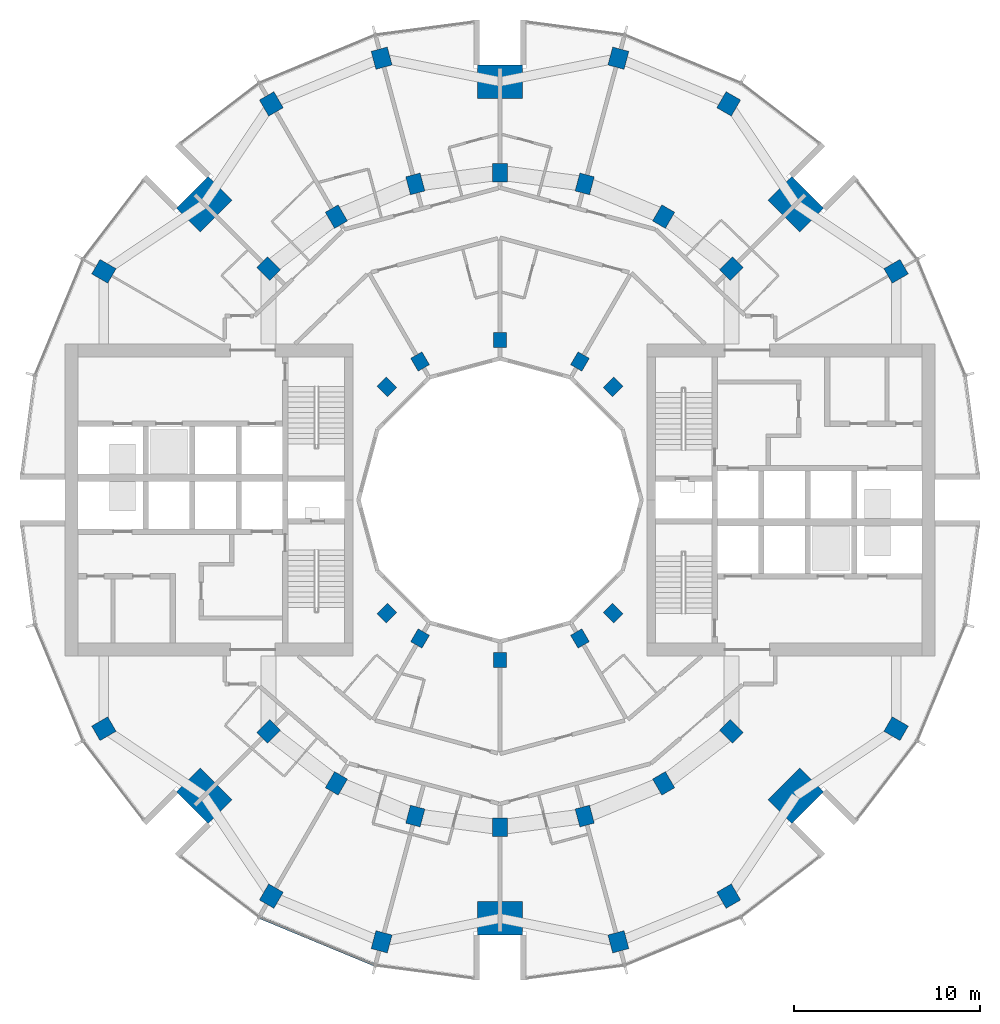
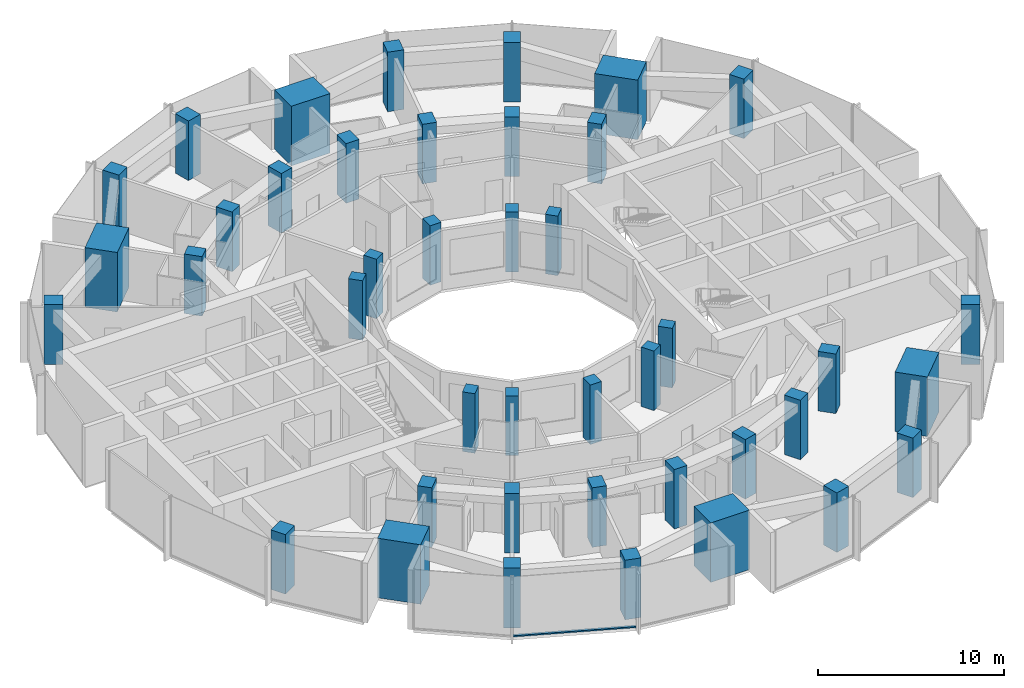
# One storey, part 1 of 15: 42 columns, 1 member, 1 element without a shape of its own.
"""IFC4 building model written with IfcOpenShell, lengths in metres."""

from ifc_helpers import new_model, si_unit, direction, frame, origin, origin_2d, place, context, subcontext, project, spatial, rectangle, extrude, material, layer, layer_set, material_profile, profile_set, type_object, element, aggregate, save


model = new_model("IFC4")

# Units and contexts
model_context = context("Model", 3, precision=1e-05, world=origin(), true_north=direction((0.0, 1.0)))
body_context = subcontext(model_context, "Body", "Model", "MODEL_VIEW")
ifc_project = project(units=[si_unit("LENGTHUNIT", "METRE"), si_unit("AREAUNIT", "SQUARE_METRE"), si_unit("VOLUMEUNIT", "CUBIC_METRE"), si_unit("PLANEANGLEUNIT", "RADIAN"), si_unit("MASSUNIT", "GRAM", prefix="KILO")], contexts=[model_context])

# Site, building, storey
site_placement = place(None, origin())
site = spatial("IfcSite", under=ifc_project, at=site_placement, CompositionType="ELEMENT")
building_placement = place(site_placement, origin())
building = spatial("IfcBuilding", under=site, at=building_placement, Name="Torre Brocal", CompositionType="ELEMENT")
storey_placement = place(building_placement, frame((0.0, 0.0, 141.89990234375)))
storey = spatial("IfcBuildingStorey", under=building, at=storey_placement, Name="L33", CompositionType="ELEMENT", Elevation=141.89990234375)

# Columns
ifc_material_1 = material(Name="Concrete C70", Category="concrete")
ifc_material_profile_1 = material_profile(ifc_material_1, rectangle(XDim=1.0, YDim=0.800048828125, at=origin_2d()), Name="RC 1000X800")
ifc_profile_set_1 = profile_set([ifc_material_profile_1], Name="Concrete C70")
column_type_1 = type_object("IfcColumnType", Name="RC COLUMN 1000X800 C70", PredefinedType="COLUMN", material=ifc_profile_set_1)
for number, where, z_axis, x_axis, name in (
    (1, (92.445068359375, 87.445068359375, 0.0), (0.0, 0.0, 1.0), (0.707106781187, 0.707106781187, 0.0), "Column C-M03"),
    (2, (88.800048828125, 90.241943359375, 0.0), (0.0, 0.0, 1.0), (0.5, 0.866025403784, 0.0), "Column C-M04"),
    (3, (84.55517578125, 92.000244140625, 0.0), (0.0, 0.0, 1.0), (0.258819045103, 0.965925826289, 0.0), "Column C-M05"),
    (4, (80.0, 92.60009765625, 0.0), (0.0, 0.0, 1.0), (0.0, 1.0, 0.0), "Column C-M06"),
    (5, (75.44482421875, 92.000244140625, 0.0), (0.0, 0.0, 1.0), (-0.258819045103, 0.965925826289, 0.0), "Column C-M07"),
    (6, (71.199951171875, 90.241943359375, 0.0), (0.0, 0.0, 1.0), (-0.5, 0.866025403784, 0.0), "Column C-M08"),
    (7, (67.554931640625, 87.445068359375, 0.0), (0.0, 0.0, 1.0), (-0.707106781187, 0.707106781187, 0.0), "Column C-M09"),
    (8, (67.554931640625, 62.554931640625, 0.0), (0.0, 0.0, 1.0), (-0.707106781187, -0.707106781187, 0.0), "Column C-M15"),
    (9, (71.199951171875, 59.758056640625, 0.0), (0.0, 0.0, 1.0), (-0.5, -0.866025403784, 0.0), "Column C-M16"),
    (10, (75.44482421875, 57.999755859375, 0.0), (0.0, 0.0, 1.0), (-0.258819045103, -0.965925826289, 0.0), "Column C-M17"),
    (11, (80.0, 57.39990234375, 0.0), (0.0, 0.0, 1.0), (0.0, -1.0, 0.0), "Column C-M18"),
    (12, (84.55517578125, 57.999755859375, 0.0), (0.0, 0.0, 1.0), (0.258819045103, -0.965925826289, 0.0), "Column C-M19"),
    (13, (88.800048828125, 59.758056640625, 0.0), (0.0, 0.0, 1.0), (0.5, -0.866025403784, 0.0), "Column C-M20"),
    (14, (92.445068359375, 62.554931640625, 0.0), (0.0, 0.0, 1.0), (0.707106781187, -0.707106781187, 0.0), "Column C-M21"),
):
    element("IfcColumn", number, at=place(storey_placement, frame(where, z_axis=z_axis, x_axis=x_axis)), inside=storey, type_object=column_type_1, Name=name, PredefinedType="COLUMN", context=body_context, shape_type="SweptSolid", body=[
        extrude(rectangle(XDim=1.0, YDim=0.800048828125, at=origin_2d()), origin(), (0.0, 0.0, 1.0), 3.900146484375),
    ])
ifc_material_2 = material(Name="Concrete C70", Category="concrete")
ifc_material_profile_2 = material_profile(ifc_material_2, rectangle(XDim=1.0, YDim=0.89990234375, at=origin_2d()), Name="RC 1000X900")
ifc_profile_set_2 = profile_set([ifc_material_profile_2], Name="Concrete C70")
column_type_2 = type_object("IfcColumnType", Name="RC COLUMN 1000X900 C70", PredefinedType="COLUMN", material=ifc_profile_set_2)
for number, where, z_axis, x_axis, name in (
    (15, (101.30419921875, 87.300048828125, 0.0), (0.0, 0.0, 1.0), (0.866025403784, 0.5, 0.0), "Column C-O02"),
    (16, (92.300048828125, 96.30419921875, 0.0), (0.0, 0.0, 1.0), (0.5, 0.866025403784, 0.0), "Column C-O04"),
    (17, (86.366943359375, 98.76171875, 0.0), (0.0, 0.0, 1.0), (0.258819045103, 0.965925826289, 0.0), "Column C-O05"),
    (18, (73.633056640625, 98.76171875, 0.0), (0.0, 0.0, 1.0), (-0.258819045103, 0.965925826289, 0.0), "Column C-O07"),
    (19, (67.699951171875, 96.30419921875, 0.0), (0.0, 0.0, 1.0), (-0.5, 0.866025403784, 0.0), "Column C-O08"),
    (20, (58.69580078125, 87.300048828125, 0.0), (0.0, 0.0, 1.0), (-0.866025403784, 0.5, 0.0), "Column C-O10"),
    (21, (58.69580078125, 62.699951171875, 0.0), (0.0, 0.0, 1.0), (-0.866025403784, -0.5, 0.0), "Column C-O14"),
    (22, (67.699951171875, 53.69580078125, 0.0), (0.0, 0.0, 1.0), (-0.5, -0.866025403784, 0.0), "Column C-O16"),
    (23, (73.633056640625, 51.23828125, 0.0), (0.0, 0.0, 1.0), (-0.258819045103, -0.965925826289, 0.0), "Column C-O17"),
    (24, (86.366943359375, 51.23828125, 0.0), (0.0, 0.0, 1.0), (0.258819045103, -0.965925826289, 0.0), "Column C-O19"),
    (25, (92.300048828125, 53.69580078125, 0.0), (0.0, 0.0, 1.0), (0.5, -0.866025403784, 0.0), "Column C-O20"),
    (26, (101.30419921875, 62.699951171875, 0.0), (0.0, 0.0, 1.0), (0.866025403784, -0.5, 0.0), "Column C-O22"),
):
    element("IfcColumn", number, at=place(storey_placement, frame(where, z_axis=z_axis, x_axis=x_axis)), inside=storey, type_object=column_type_2, Name=name, PredefinedType="COLUMN", context=body_context, shape_type="SweptSolid", body=[
        extrude(rectangle(XDim=1.0, YDim=0.89990234375, at=origin_2d()), origin(), (0.0, 0.0, 1.0), 3.900146484375),
    ])
ifc_material_3 = material(Name="Concrete C70", Category="concrete")
ifc_material_profile_3 = material_profile(ifc_material_3, rectangle(XDim=1.800048828125, YDim=2.39990234375, at=origin_2d()), Name="RC 1800X2400")
ifc_profile_set_3 = profile_set([ifc_material_profile_3], Name="Concrete C70")
column_type_3 = type_object("IfcColumnType", Name="RC COLUMN 1800X2400 C70", PredefinedType="COLUMN", material=ifc_profile_set_3)
for number, where, z_axis, x_axis, name in (
    (27, (95.909912109375, 90.909912109375, 0.0), (0.0, 0.0, 1.0), (0.707106781187, 0.707106781187, 0.0), "Column MC-1"),
    (28, (80.0, 97.5, 0.0), (0.0, 0.0, 1.0), (0.0, 1.0, 0.0), "Column MC-2"),
    (29, (64.090087890625, 90.909912109375, 0.0), (0.0, 0.0, 1.0), (-0.707106781187, 0.707106781187, 0.0), "Column MC-3"),
    (30, (64.090087890625, 59.090087890625, 0.0), (0.0, 0.0, 1.0), (-0.707106781187, -0.707106781187, 0.0), "Column MC-5"),
    (31, (80.0, 52.5, 0.0), (0.0, 0.0, 1.0), (0.0, -1.0, 0.0), "Column MC-6"),
    (32, (95.909912109375, 59.090087890625, 0.0), (0.0, 0.0, 1.0), (0.707106781187, -0.707106781187, 0.0), "Column MC-7"),
):
    element("IfcColumn", number, at=place(storey_placement, frame(where, z_axis=z_axis, x_axis=x_axis)), inside=storey, type_object=column_type_3, Name=name, PredefinedType="COLUMN", context=body_context, shape_type="SweptSolid", body=[
        extrude(rectangle(XDim=1.800048828125, YDim=2.39990234375, at=origin_2d()), origin(), (0.0, 0.0, 1.0), 3.900146484375),
    ])
ifc_material_4 = material(Name="Concrete C70", Category="concrete")
ifc_material_profile_4 = material_profile(ifc_material_4, rectangle(XDim=0.800048828125, YDim=0.699951171875, at=origin_2d()), Name="RC 800X700")
ifc_profile_set_4 = profile_set([ifc_material_profile_4], Name="Concrete C70")
column_type_4 = type_object("IfcColumnType", Name="RC COLUMN 800X700 C70", PredefinedType="COLUMN", material=ifc_profile_set_4)
for number, where, z_axis, x_axis, name in (
    (33, (86.0810546875, 81.0810546875, 0.0), (0.0, 0.0, 1.0), (0.707106781187, 0.707106781187, 0.0), "Column C-I03"),
    (34, (84.300048828125, 82.44775390625, 0.0), (0.0, 0.0, 1.0), (0.5, 0.866025403784, 0.0), "Column C-I04"),
    (35, (80.0, 83.60009765625, 0.0), (0.0, 0.0, 1.0), (0.0, 1.0, 0.0), "Column C-I06"),
    (36, (75.699951171875, 82.44775390625, 0.0), (0.0, 0.0, 1.0), (-0.5, 0.866025403784, 0.0), "Column C-I08"),
    (37, (73.9189453125, 81.0810546875, 0.0), (0.0, 0.0, 1.0), (-0.707106781187, 0.707106781187, 0.0), "Column C-I09"),
    (38, (73.9189453125, 68.9189453125, 0.0), (0.0, 0.0, 1.0), (-0.707106781187, -0.707106781187, 0.0), "Column C-I15"),
    (39, (75.699951171875, 67.55224609375, 0.0), (0.0, 0.0, 1.0), (-0.5, -0.866025403784, 0.0), "Column C-I16"),
    (40, (80.0, 66.39990234375, 0.0), (0.0, 0.0, 1.0), (0.0, -1.0, 0.0), "Column C-I18"),
    (41, (84.300048828125, 67.55224609375, 0.0), (0.0, 0.0, 1.0), (0.5, -0.866025403784, 0.0), "Column C-I20"),
    (42, (86.0810546875, 68.9189453125, 0.0), (0.0, 0.0, 1.0), (0.707106781187, -0.707106781187, 0.0), "Column C-I21"),
):
    element("IfcColumn", number, at=place(storey_placement, frame(where, z_axis=z_axis, x_axis=x_axis)), inside=storey, type_object=column_type_4, Name=name, PredefinedType="COLUMN", context=body_context, shape_type="SweptSolid", body=[
        extrude(rectangle(XDim=0.800048828125, YDim=0.699951171875, at=origin_2d()), origin(), (0.0, 0.0, 1.0), 3.900146484375),
    ])

# Curtain wall, member
ifc_material_5 = material(Name="Aluminium and glass", Category="aluminium")
ifc_layer = layer(ifc_material_5, 0.199951171875)
ifc_layer_set = layer_set([ifc_layer], Name="Aluminium and glass")
curtain_wall_type = type_object("IfcCurtainWallType", Name="CW-1 CURTAIN WALL 3900 HIGH", PredefinedType="NOTDEFINED", material=ifc_layer_set)
curtain_wall_placement = place(storey_placement, origin())
curtain_wall = element("IfcCurtainWall", 43, at=curtain_wall_placement, inside=storey, type_object=curtain_wall_type, Name="CW-1 RUN 17", PredefinedType="NOTDEFINED")
ifc_material_6 = material(Name="Aluminium, dark anodised", Category="aluminium")
ifc_material_profile_5 = material_profile(ifc_material_6, rectangle(XDim=0.159912109375, YDim=0.080078125, at=origin_2d()), Name="CW-1 TRANSOM 160X80")
ifc_profile_set_5 = profile_set([ifc_material_profile_5], Name="Aluminium, dark anodised")
member_type = type_object("IfcMemberType", Name="CW-1 TRANSOM 160X80", PredefinedType="USERDEFINED", material=ifc_profile_set_5)
member_placement = place(storey_placement, frame((67.10595703125, 52.547607421875, 0.0400390625), z_axis=(0.923887344364, -0.38266457234, 0.0), x_axis=(0.38266457234, 0.923887344364, 0.0)))
member = element("IfcMember", 44, at=member_placement, type_object=member_type, Name="CW1-3 transom 1.1", ObjectType="TRANSOM", PredefinedType="USERDEFINED", context=body_context, shape_type="SweptSolid", body=[
    extrude(rectangle(XDim=0.159912109375, YDim=0.080078125, at=origin_2d()), origin(), (0.0, 0.0, 1.0), 6.640869140625),
])
aggregate(curtain_wall, [member])

save(model, "model.ifc")
